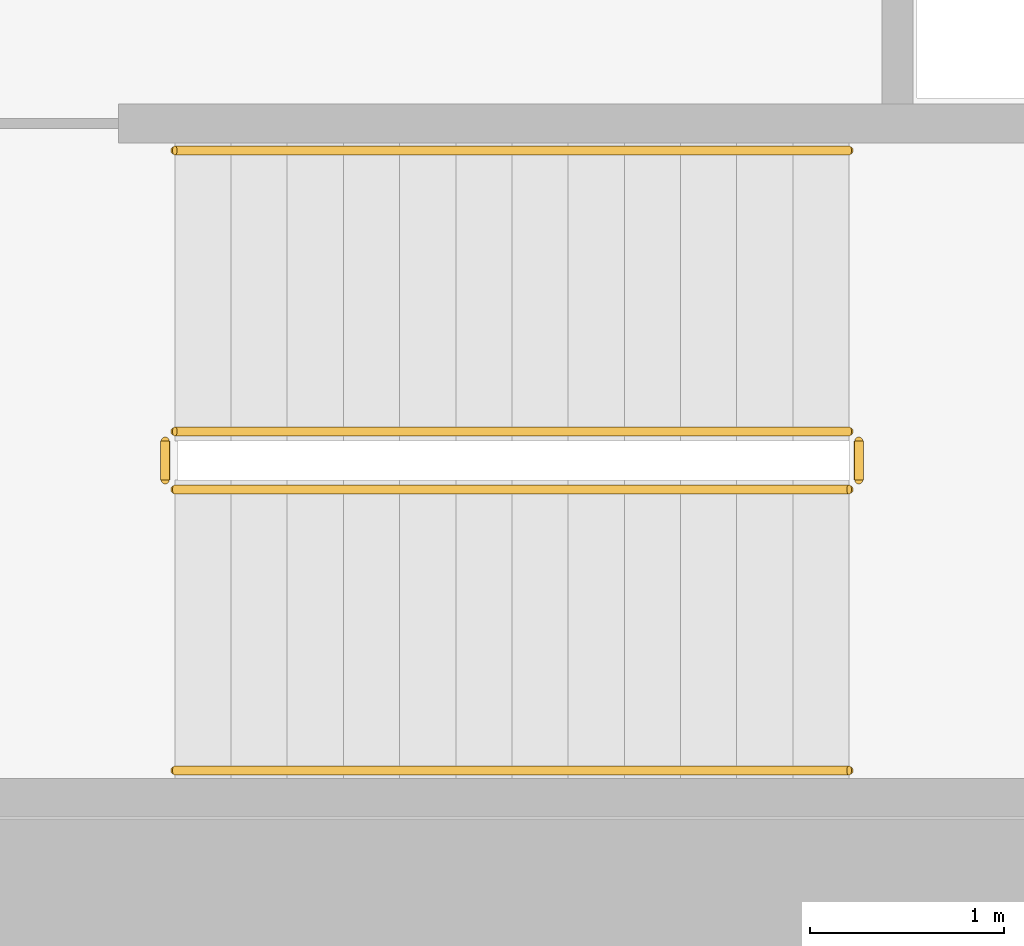
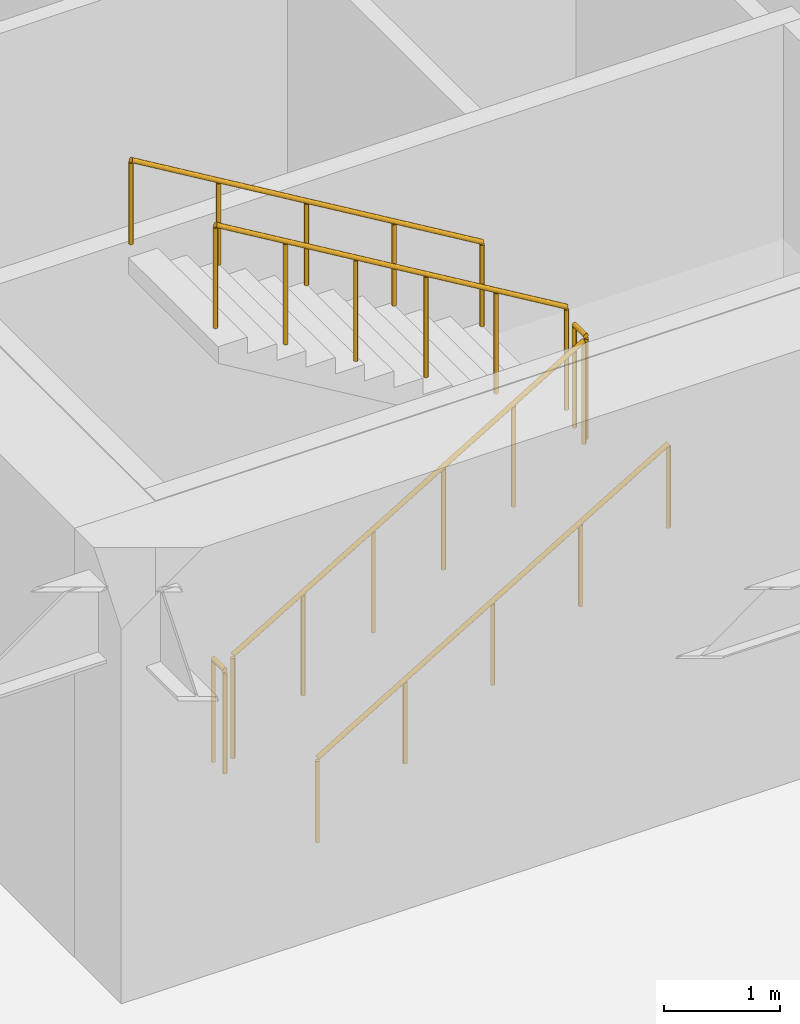
# One storey, part 8 of 10: 6 railings.
"""IFC4 building model written with IfcOpenShell, lengths in metres."""

from ifc_helpers import new_model, si_unit, direction, frame, origin, origin_2d, place, context, subcontext, project, spatial, circle, extrude, material, type_object, element, save


model = new_model("IFC4")

# Units and contexts
model_context = context("Model", 3, precision=1e-05, world=origin(), true_north=direction((0.0, 1.0)))
body_context = subcontext(model_context, "Body", "Model", "MODEL_VIEW")
ifc_project = project(units=[si_unit("LENGTHUNIT", "METRE"), si_unit("AREAUNIT", "SQUARE_METRE"), si_unit("VOLUMEUNIT", "CUBIC_METRE"), si_unit("PLANEANGLEUNIT", "RADIAN"), si_unit("MASSUNIT", "GRAM", prefix="KILO")], contexts=[model_context])

# Site, building, storey
site_placement = place(None, origin())
site = spatial("IfcSite", under=ifc_project, at=site_placement, CompositionType="ELEMENT")
building_placement = place(site_placement, origin())
building = spatial("IfcBuilding", under=site, at=building_placement, Name="Putna Gate Headquarters", CompositionType="ELEMENT")
storey_placement = place(building_placement, frame((0.0, 0.0, -4.5)))
storey = spatial("IfcBuildingStorey", under=building, at=storey_placement, Name="B01", CompositionType="ELEMENT", Elevation=-4.5)

# Railings
ifc_material_1 = material(Name="Powder-coated steel stair guardrail", Category="steel")
railing_type_1 = type_object("IfcRailingType", Name="RAIL-STAIR-GUARD-1100", PredefinedType="GUARDRAIL", material=ifc_material_1)
railing_1_placement = place(storey_placement, frame((15.14990234375, 21.10009765625, 0.173095703125)))
element("IfcRailing", 1, at=railing_1_placement, inside=storey, type_object=railing_type_1, Name="B01 ST1 stair guard 1", PredefinedType="GUARDRAIL", context=body_context, shape_type="SweptSolid", body=[
    extrude(circle(Radius=0.02392578125, at=origin_2d()), frame((0.0, 0.0, 1.076171875), z_axis=(0.858697190188, 0.0, 0.512483302717), x_axis=(0.0, 1.0, 0.0)), (0.0, 0.0, 1.0), 4.052734375),
    extrude(circle(Radius=0.02099609375, at=origin_2d()), origin(), (0.0, 0.0, 1.0), 1.052001953125),
    extrude(circle(Radius=0.02099609375, at=origin_2d()), frame((0.696044921875, 0.0, 0.415283203125)), (0.0, 0.0, 1.0), 1.052001953125),
    extrude(circle(Radius=0.02099609375, at=origin_2d()), frame((1.39208984375, 0.0, 0.830810546875)), (0.0, 0.0, 1.0), 1.052001953125),
    extrude(circle(Radius=0.02099609375, at=origin_2d()), frame((2.087890625, 0.0, 1.24609375)), (0.0, 0.0, 1.0), 1.052001953125),
    extrude(circle(Radius=0.02099609375, at=origin_2d()), frame((2.783935546875, 0.0, 1.66162109375)), (0.0, 0.0, 1.0), 1.052001953125),
    extrude(circle(Radius=0.02099609375, at=origin_2d()), frame((3.47998046875, 0.0, 2.076904296875)), (0.0, 0.0, 1.0), 1.052001953125),
])
railing_2_placement = place(storey_placement, frame((18.679931640625, 21.14990234375, 2.25)))
element("IfcRailing", 2, at=railing_2_placement, inside=storey, type_object=railing_type_1, Name="B01 ST1 stair guard 2", PredefinedType="GUARDRAIL", context=body_context, shape_type="SweptSolid", body=[
    extrude(circle(Radius=0.02392578125, at=origin_2d()), frame((0.0, 0.0, 1.076171875), z_axis=(0.0, 1.0, 0.0), x_axis=(-1.0, 0.0, 0.0)), (0.0, 0.0, 1.0), 0.2001953125),
    extrude(circle(Radius=0.02099609375, at=origin_2d()), origin(), (0.0, 0.0, 1.0), 1.052001953125),
    extrude(circle(Radius=0.02099609375, at=origin_2d()), frame((0.0, 0.2001953125, 0.0)), (0.0, 0.0, 1.0), 1.052001953125),
])
railing_3_placement = place(storey_placement, frame((18.6298828125, 21.39990234375, 2.423095703125)))
element("IfcRailing", 3, at=railing_3_placement, inside=storey, type_object=railing_type_1, Name="B01 ST1 stair guard 3", PredefinedType="GUARDRAIL", context=body_context, shape_type="SweptSolid", body=[
    extrude(circle(Radius=0.02392578125, at=origin_2d()), frame((0.0, 0.0, 1.076171875), z_axis=(-0.858697190188, 0.0, 0.512483302717), x_axis=(0.0, -1.0, 0.0)), (0.0, 0.0, 1.0), 4.052734375),
    extrude(circle(Radius=0.02099609375, at=origin_2d()), origin(), (0.0, 0.0, 1.0), 1.052001953125),
    extrude(circle(Radius=0.02099609375, at=origin_2d()), frame((-0.696044921875, 0.0, 0.415283203125)), (0.0, 0.0, 1.0), 1.052001953125),
    extrude(circle(Radius=0.02099609375, at=origin_2d()), frame((-1.39208984375, 0.0, 0.830810546875)), (0.0, 0.0, 1.0), 1.052001953125),
    extrude(circle(Radius=0.02099609375, at=origin_2d()), frame((-2.087890625, 0.0, 1.24609375)), (0.0, 0.0, 1.0), 1.052001953125),
    extrude(circle(Radius=0.02099609375, at=origin_2d()), frame((-2.783935546875, 0.0, 1.66162109375)), (0.0, 0.0, 1.0), 1.052001953125),
    extrude(circle(Radius=0.02099609375, at=origin_2d()), frame((-3.47998046875, 0.0, 2.076904296875)), (0.0, 0.0, 1.0), 1.052001953125),
])
railing_4_placement = place(storey_placement, frame((15.10009765625, 21.14990234375, 0.0)))
element("IfcRailing", 4, at=railing_4_placement, inside=storey, type_object=railing_type_1, Name="B01 ST1 stair guard 4", PredefinedType="GUARDRAIL", context=body_context, shape_type="SweptSolid", body=[
    extrude(circle(Radius=0.02392578125, at=origin_2d()), frame((0.0, 0.0, 1.076171875), z_axis=(0.0, 1.0, 0.0), x_axis=(-1.0, 0.0, 0.0)), (0.0, 0.0, 1.0), 0.2001953125),
    extrude(circle(Radius=0.02099609375, at=origin_2d()), origin(), (0.0, 0.0, 1.0), 1.052001953125),
    extrude(circle(Radius=0.02099609375, at=origin_2d()), frame((0.0, 0.2001953125, 0.0)), (0.0, 0.0, 1.0), 1.052001953125),
])
ifc_material_2 = material(Name="Brushed stainless steel handrail", Category="steel")
railing_type_2 = type_object("IfcRailingType", Name="RAIL-STAIR-HAND-900", PredefinedType="HANDRAIL", material=ifc_material_2)
railing_5_placement = place(storey_placement, frame((15.14990234375, 19.64990234375, 0.173095703125)))
element("IfcRailing", 5, at=railing_5_placement, inside=storey, type_object=railing_type_2, Name="B01 ST1 stair handrail 1", PredefinedType="HANDRAIL", context=body_context, shape_type="SweptSolid", body=[
    extrude(circle(Radius=0.02392578125, at=origin_2d()), frame((0.0, 0.0, 0.8759765625), z_axis=(0.858697190188, 0.0, 0.512483302717), x_axis=(0.0, 1.0, 0.0)), (0.0, 0.0, 1.0), 4.052734375),
    extrude(circle(Radius=0.02099609375, at=origin_2d()), origin(), (0.0, 0.0, 1.0), 0.851806640625),
    extrude(circle(Radius=0.02099609375, at=origin_2d()), frame((0.8701171875, 0.0, 0.519287109375)), (0.0, 0.0, 1.0), 0.851806640625),
    extrude(circle(Radius=0.02099609375, at=origin_2d()), frame((1.739990234375, 0.0, 1.03857421875)), (0.0, 0.0, 1.0), 0.851806640625),
    extrude(circle(Radius=0.02099609375, at=origin_2d()), frame((2.60986328125, 0.0, 1.5576171875)), (0.0, 0.0, 1.0), 0.851806640625),
    extrude(circle(Radius=0.02099609375, at=origin_2d()), frame((3.47998046875, 0.0, 2.076904296875)), (0.0, 0.0, 1.0), 0.851806640625),
])
railing_6_placement = place(storey_placement, frame((18.6298828125, 22.85009765625, 2.423095703125)))
element("IfcRailing", 6, at=railing_6_placement, inside=storey, type_object=railing_type_2, Name="B01 ST1 stair handrail 2", PredefinedType="HANDRAIL", context=body_context, shape_type="SweptSolid", body=[
    extrude(circle(Radius=0.02392578125, at=origin_2d()), frame((0.0, 0.0, 0.8759765625), z_axis=(-0.858697190188, 0.0, 0.512483302717), x_axis=(0.0, -1.0, 0.0)), (0.0, 0.0, 1.0), 4.052734375),
    extrude(circle(Radius=0.02099609375, at=origin_2d()), origin(), (0.0, 0.0, 1.0), 0.851806640625),
    extrude(circle(Radius=0.02099609375, at=origin_2d()), frame((-0.8701171875, 0.0, 0.519287109375)), (0.0, 0.0, 1.0), 0.851806640625),
    extrude(circle(Radius=0.02099609375, at=origin_2d()), frame((-1.739990234375, 0.0, 1.03857421875)), (0.0, 0.0, 1.0), 0.851806640625),
    extrude(circle(Radius=0.02099609375, at=origin_2d()), frame((-2.60986328125, 0.0, 1.5576171875)), (0.0, 0.0, 1.0), 0.851806640625),
    extrude(circle(Radius=0.02099609375, at=origin_2d()), frame((-3.47998046875, 0.0, 2.076904296875)), (0.0, 0.0, 1.0), 0.851806640625),
])

save(model, "model.ifc")
